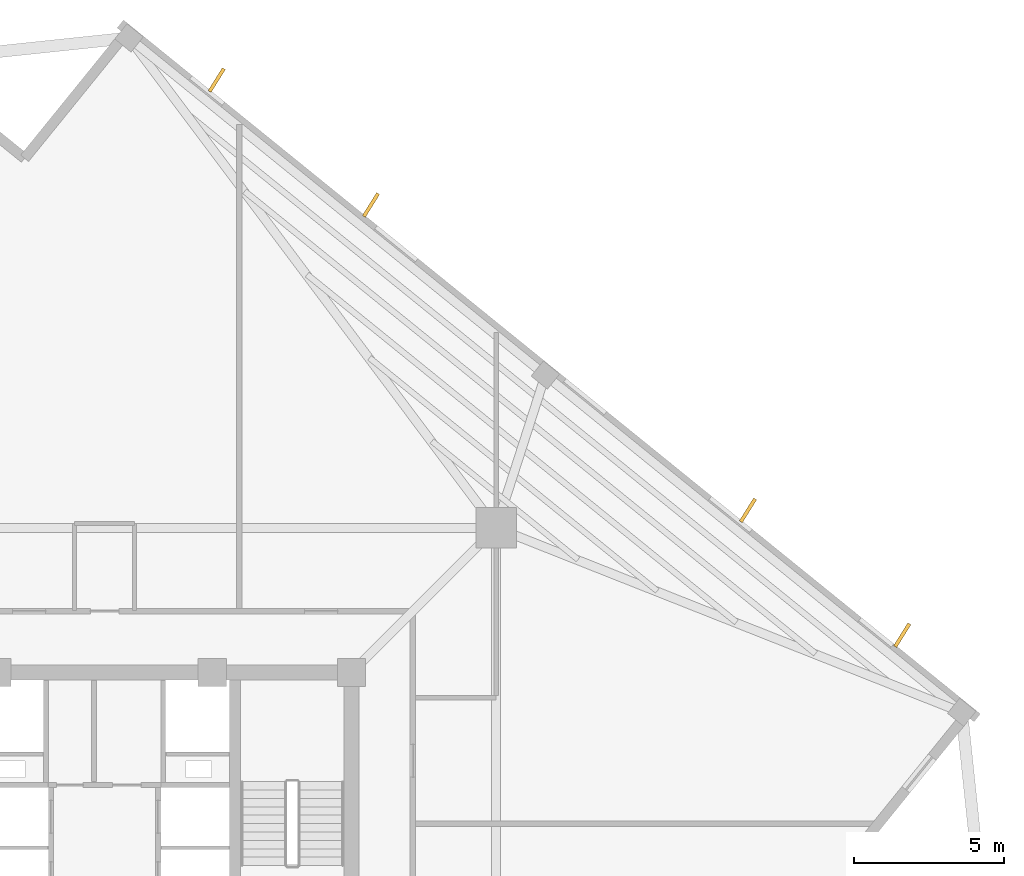
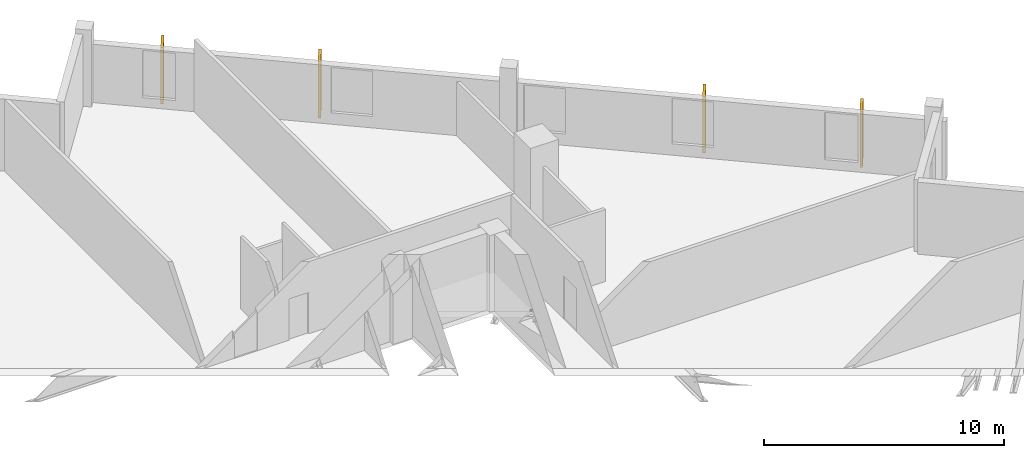
# One storey, part 9 of 9: 4 coverings.
"""IFC4 building model written with IfcOpenShell, lengths in metres."""

from ifc_helpers import new_model, si_unit, direction, frame, origin, origin_2d, place, context, subcontext, project, spatial, rectangle, extrude, source, transform, mapped, material, layer, layer_set, type_object, element, save


model = new_model("IFC4")

# Units and contexts
model_context = context("Model", 3, precision=1e-05, world=origin(), true_north=direction((0.0, 1.0)))
body_context = subcontext(model_context, "Body", "Model", "MODEL_VIEW")
ifc_project = project(units=[si_unit("LENGTHUNIT", "METRE"), si_unit("AREAUNIT", "SQUARE_METRE"), si_unit("VOLUMEUNIT", "CUBIC_METRE"), si_unit("PLANEANGLEUNIT", "RADIAN"), si_unit("MASSUNIT", "GRAM", prefix="KILO"), si_unit("THERMODYNAMICTEMPERATUREUNIT", "KELVIN")], contexts=[model_context])

# Site, building, storey
site_placement = place(None, origin())
site = spatial("IfcSite", under=ifc_project, at=site_placement, CompositionType="ELEMENT")
building_placement = place(site_placement, origin())
building = spatial("IfcBuilding", under=site, at=building_placement, Name="Kosmvard Interchange Tower", CompositionType="ELEMENT")
storey_placement = place(building_placement, frame((0.0, 0.0, 232.89990234375)))
storey = spatial("IfcBuildingStorey", under=building, at=storey_placement, Name="L56", CompositionType="ELEMENT", Elevation=232.89990234375)

# Coverings
ifc_material = material(Name="Architectural anodised aluminium", Category="aluminium")
ifc_layer = layer(ifc_material, 0.1201171875, Name="Architectural anodised aluminium")
ifc_layer_set = layer_set([ifc_layer], Name="Architectural anodised aluminium")
covering_type = type_object("IfcCoveringType", Name="Rotating Vertical Sun-Breaker Fin 900x120 Aluminium", PredefinedType="CLADDING", material=ifc_layer_set)
shared_shape = source(origin(), body_context, "Body", "SweptSolid", [
    extrude(rectangle(XDim=0.89990234375, YDim=0.1201171875, at=origin_2d()), origin(), (0.0, 0.0, 1.0), 2.8798828125),
])
for number, where, z_axis, x_axis, name in (
    (1, (26.650146484375, 9.494384765625, 0.0400390625), (0.0, 0.0, 1.0), (0.530067268476, 0.847955594881, 0.0), "L56 Rotating Vertical Sun-Breaker Fin 05"),
    (2, (21.49658203125, 13.66748046875, 0.0400390625), (0.0, 0.0, 1.0), (0.530067268476, 0.847955594881, 0.0), "L56 Rotating Vertical Sun-Breaker Fin 06"),
    (3, (8.8994140625, 23.86865234375, 0.0400390625), (0.0, 0.0, 1.0), (0.530067268476, 0.847955594881, 0.0), "L56 Rotating Vertical Sun-Breaker Fin 07"),
    (4, (3.74609375, 28.041748046875, 0.0400390625), (0.0, 0.0, 1.0), (0.530067268476, 0.847955594881, 0.0), "L56 Rotating Vertical Sun-Breaker Fin 08"),
):
    element("IfcCovering", number, at=place(storey_placement, frame(where, z_axis=z_axis, x_axis=x_axis)), inside=storey, type_object=covering_type, Name=name, PredefinedType="CLADDING", context=body_context, shape_type="MappedRepresentation", body=[
        mapped(shared_shape, transform((0.0, 0.0, 0.0), scale=1.0)),
    ])

save(model, "model.ifc")
